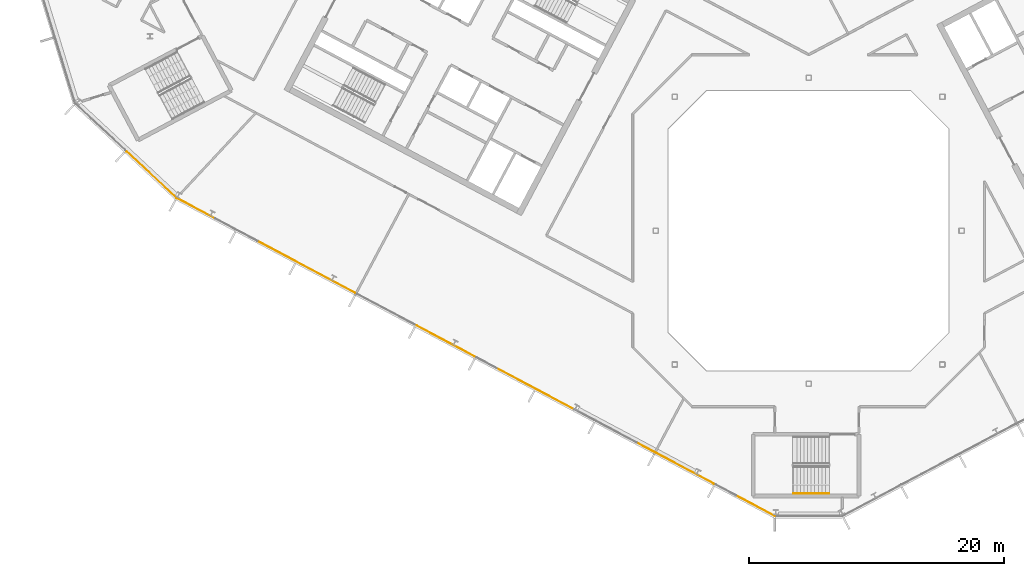
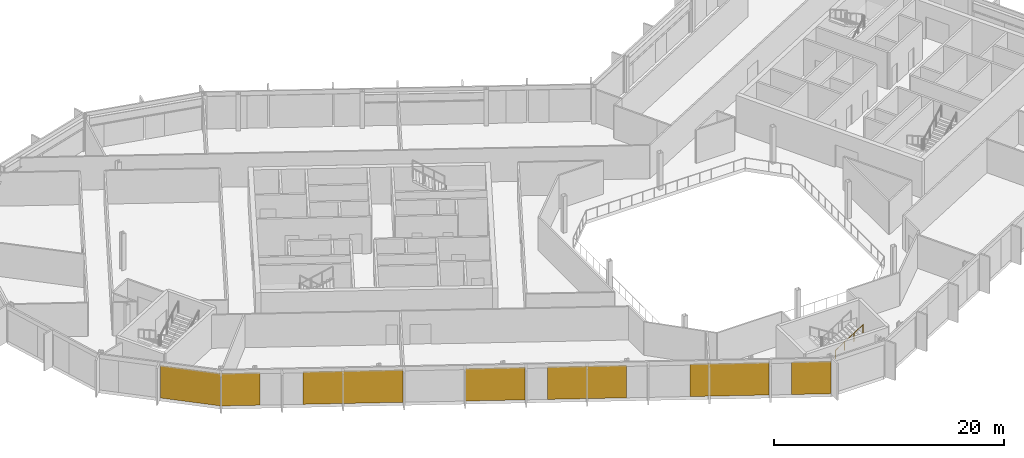
# One storey, part 19 of 26: 7 coverings, 1 railing, 2 elements without a shape of their own.
"""IFC4 building model written with IfcOpenShell, lengths in metres."""

from ifc_helpers import new_model, si_unit, direction, frame, origin, origin_2d, place, context, subcontext, project, spatial, polyline, rectangle, outline, extrude, material, layer, layer_set, type_object, element, aggregate, save


model = new_model("IFC4")

# Units and contexts
model_context = context("Model", 3, precision=1e-05, world=origin(), true_north=direction((0.0, 1.0)))
body_context = subcontext(model_context, "Body", "Model", "MODEL_VIEW")
ifc_project = project(units=[si_unit("LENGTHUNIT", "METRE"), si_unit("AREAUNIT", "SQUARE_METRE"), si_unit("VOLUMEUNIT", "CUBIC_METRE"), si_unit("PLANEANGLEUNIT", "RADIAN"), si_unit("MASSUNIT", "GRAM", prefix="KILO")], contexts=[model_context])

# Site, building, storey
site_placement = place(None, origin())
site = spatial("IfcSite", under=ifc_project, at=site_placement, CompositionType="ELEMENT")
building_placement = place(site_placement, origin())
building = spatial("IfcBuilding", under=site, at=building_placement, Name="Cormorant Relay Tower", CompositionType="ELEMENT")
storey_placement = place(building_placement, frame((0.0, 0.0, 277.5)))
storey = spatial("IfcBuildingStorey", under=building, at=storey_placement, Name="L62", CompositionType="ELEMENT", Elevation=277.5)

# Curtain wall, covering
ifc_material_1 = material(Name="Aluminium 6063-T6 anodised bronze", Category="aluminium")
ifc_layer_1 = layer(ifc_material_1, 0.199951171875)
ifc_layer_set_1 = layer_set([ifc_layer_1], Name="CW1 unitised bronze curtain wall with vertical fins")
curtain_wall_type = type_object("IfcCurtainWallType", Name="CW1 unitised bronze curtain wall with vertical fins", PredefinedType="NOTDEFINED", material=ifc_layer_set_1)
curtain_wall_1_placement = place(storey_placement, origin())
curtain_wall_1 = element("IfcCurtainWall", 1, at=curtain_wall_1_placement, inside=storey, type_object=curtain_wall_type, Name="CW1 curtain wall 15", PredefinedType="NOTDEFINED")
ifc_material_2 = material(Name="Pale bronze anodised aluminium insulated panel", Category="aluminium")
ifc_layer_2 = layer(ifc_material_2, 0.0400390625)
ifc_layer_set_2 = layer_set([ifc_layer_2], Name="CW1 pale bronze insulated panel 40")
covering_type = type_object("IfcCoveringType", Name="CW1 pale bronze insulated panel 40", PredefinedType="CLADDING", material=ifc_layer_set_2)
covering_1_placement = place(storey_placement, frame((-51.565185546875, 4.3974609375, 0.0), z_axis=(0.0, 0.0, 1.0), x_axis=(0.731353701619, -0.681998360062, 0.0)))
covering_1 = element("IfcCovering", 2, at=covering_1_placement, type_object=covering_type, Name="CW1 panel S02", PredefinedType="CLADDING", context=body_context, shape_type="SweptSolid", body=[
    extrude(rectangle(XDim=5.360107421875, YDim=0.0400390625, at=origin_2d()), origin(), (0.0, 0.0, 1.0), 3.449951171875),
])
aggregate(curtain_wall_1, [covering_1])

# Curtain wall, coverings
curtain_wall_2_placement = place(storey_placement, origin())
curtain_wall_2 = element("IfcCurtainWall", 3, at=curtain_wall_2_placement, inside=storey, type_object=curtain_wall_type, Name="CW1 curtain wall 16", PredefinedType="NOTDEFINED")
covering_2_placement = place(storey_placement, frame((-48.048583984375, 1.7412109375, 0.0), z_axis=(0.0, 0.0, 1.0), x_axis=(0.882947592859, -0.469471562786, 0.0)))
covering_2 = element("IfcCovering", 4, at=covering_2_placement, type_object=covering_type, Name="CW1 panel S00", PredefinedType="CLADDING", context=body_context, shape_type="SweptSolid", body=[
    extrude(rectangle(XDim=3.36669921875, YDim=0.0400390625, at=origin_2d()), origin(), (0.0, 0.0, 1.0), 3.449951171875),
])
covering_3_placement = place(storey_placement, frame((-39.417724609375, -2.847900390625, 0.0), z_axis=(0.0, 0.0, 1.0), x_axis=(0.882947592859, -0.469471562786, 0.0)))
covering_3 = element("IfcCovering", 5, at=covering_3_placement, type_object=covering_type, Name="CW1 panel S03", PredefinedType="CLADDING", context=body_context, shape_type="SweptSolid", body=[
    extrude(rectangle(XDim=8.68310546875, YDim=0.0400390625, at=origin_2d()), origin(), (0.0, 0.0, 1.0), 3.449951171875),
])
covering_4_placement = place(storey_placement, frame((-28.476806640625, -8.665283203125, 0.0), z_axis=(0.0, 0.0, 1.0), x_axis=(0.882947592859, -0.469471562786, 0.0)))
covering_4 = element("IfcCovering", 6, at=covering_4_placement, type_object=covering_type, Name="CW1 panel S05", PredefinedType="CLADDING", context=body_context, shape_type="SweptSolid", body=[
    extrude(rectangle(XDim=5.16650390625, YDim=0.0400390625, at=origin_2d()), origin(), (0.0, 0.0, 1.0), 3.449951171875),
])
covering_5_placement = place(storey_placement, frame((-21.435302734375, -12.4091796875, 0.0), z_axis=(0.0, 0.0, 1.0), x_axis=(0.882947592859, -0.469471562786, 0.0)))
covering_5 = element("IfcCovering", 7, at=covering_5_placement, type_object=covering_type, Name="CW1 panel S07", PredefinedType="CLADDING", context=body_context, shape_type="SweptSolid", body=[
    extrude(rectangle(XDim=6.88330078125, YDim=0.0400390625, at=origin_2d()), origin(), (0.0, 0.0, 1.0), 3.449951171875),
])
covering_6_placement = place(storey_placement, frame((-10.45751953125, -18.246337890625, 0.0), z_axis=(0.0, 0.0, 1.0), x_axis=(0.882947592859, -0.469471562786, 0.0)))
covering_6 = element("IfcCovering", 8, at=covering_6_placement, type_object=covering_type, Name="CW1 panel S10", PredefinedType="CLADDING", context=body_context, shape_type="SweptSolid", body=[
    extrude(rectangle(XDim=6.88330078125, YDim=0.0400390625, at=origin_2d()), origin(), (0.0, 0.0, 1.0), 3.449951171875),
])
covering_7_placement = place(storey_placement, frame((-4.177490234375, -21.58544921875, 0.0), z_axis=(0.0, 0.0, 1.0), x_axis=(0.882947592859, -0.469471562786, 0.0)))
covering_7 = element("IfcCovering", 9, at=covering_7_placement, type_object=covering_type, Name="CW1 panel S12", PredefinedType="CLADDING", context=body_context, shape_type="SweptSolid", body=[
    extrude(rectangle(XDim=3.441650390625, YDim=0.0400390625, at=origin_2d()), origin(), (0.0, 0.0, 1.0), 3.449951171875),
])
aggregate(curtain_wall_2, [covering_2, covering_3, covering_4, covering_5, covering_6, covering_7])

# Railing
ifc_material_3 = material(Name="Steel ASTM A572 Grade 50 (Fy 345 MPa)", Category="steel")
railing_type = type_object("IfcRailingType", Name="Stair handrail 900", PredefinedType="HANDRAIL", material=ifc_material_3)
railing_placement = place(storey_placement, frame((-1.199951171875, -20.625, 2.127197265625)))
element("IfcRailing", 10, at=railing_placement, inside=storey, type_object=railing_type, Name="L62 RK1 stair handrail 2", PredefinedType="HANDRAIL", context=body_context, shape_type="SweptSolid", body=[
    extrude(outline(polyline([(0.022216796875, 0.00927734375), (0.00927734375, 0.022216796875), (-0.00927734375, 0.022216796875), (-0.022216796875, 0.00927734375), (-0.022216796875, -0.00927734375), (-0.00927734375, -0.022216796875), (0.00927734375, -0.022216796875), (0.022216796875, -0.00927734375), (0.022216796875, 0.00927734375)])), frame((0.0, 0.0, 0.8759765625), z_axis=(0.844908973607, 0.0, 0.534910110503), x_axis=(0.0, 1.0, 0.0)), (0.0, 0.0, 1.0), 3.31396484375),
    extrude(outline(polyline([(0.019287109375, 0.008056640625), (0.008056640625, 0.019287109375), (-0.008056640625, 0.019287109375), (-0.019287109375, 0.008056640625), (-0.019287109375, -0.008056640625), (-0.008056640625, -0.019287109375), (0.008056640625, -0.019287109375), (0.019287109375, -0.008056640625), (0.019287109375, 0.008056640625)])), origin(), (0.0, 0.0, 1.0), 0.851806640625),
    extrude(outline(polyline([(0.019287109375, 0.008056640625), (0.008056640625, 0.019287109375), (-0.008056640625, 0.019287109375), (-0.019287109375, 0.008056640625), (-0.019287109375, -0.008056640625), (-0.008056640625, -0.019287109375), (0.008056640625, -0.019287109375), (0.019287109375, -0.008056640625), (0.019287109375, 0.008056640625)])), frame((0.933349609375, 0.0, 0.5908203125)), (0.0, 0.0, 1.0), 0.851806640625),
    extrude(outline(polyline([(0.019287109375, 0.008056640625), (0.008056640625, 0.019287109375), (-0.008056640625, 0.019287109375), (-0.019287109375, 0.008056640625), (-0.019287109375, -0.008056640625), (-0.008056640625, -0.019287109375), (0.008056640625, -0.019287109375), (0.019287109375, -0.008056640625), (0.019287109375, 0.008056640625)])), frame((1.86669921875, 0.0, 1.181884765625)), (0.0, 0.0, 1.0), 0.851806640625),
    extrude(outline(polyline([(0.019287109375, 0.008056640625), (0.008056640625, 0.019287109375), (-0.008056640625, 0.019287109375), (-0.019287109375, 0.008056640625), (-0.019287109375, -0.008056640625), (-0.008056640625, -0.019287109375), (0.008056640625, -0.019287109375), (0.019287109375, -0.008056640625), (0.019287109375, 0.008056640625)])), frame((2.800048828125, 0.0, 1.772705078125)), (0.0, 0.0, 1.0), 0.851806640625),
])

save(model, "model.ifc")
